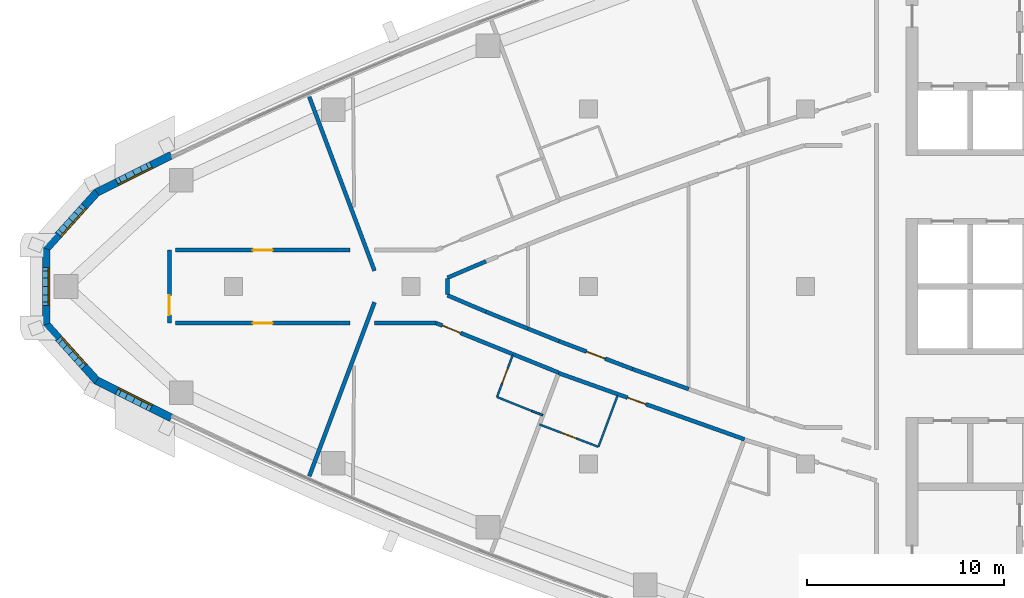
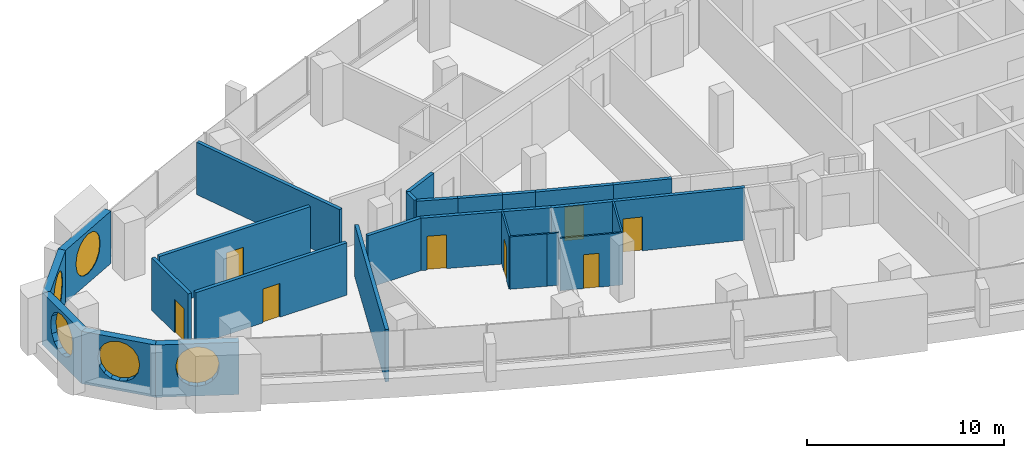
# One storey, part 8 of 15: 25 walls, 8 doors, 5 windows, 13 openings.
"""IFC4 building model written with IfcOpenShell, lengths in metres."""

from ifc_helpers import new_model, si_unit, direction, frame, frame_2d, origin, place, context, subcontext, project, spatial, polyline, rectangle, outline, extrude, material, layer, layer_set, type_object, element, fill, save


model = new_model("IFC4")

# Units and contexts
model_context = context("Model", 3, precision=1e-05, world=origin(), true_north=direction((0.0, 1.0)))
body_context = subcontext(model_context, "Body", "Model", "MODEL_VIEW")
ifc_project = project(units=[si_unit("LENGTHUNIT", "METRE"), si_unit("AREAUNIT", "SQUARE_METRE"), si_unit("VOLUMEUNIT", "CUBIC_METRE"), si_unit("PLANEANGLEUNIT", "RADIAN"), si_unit("MASSUNIT", "GRAM", prefix="KILO")], contexts=[model_context])

# Site, building, storey
site_placement = place(None, origin())
site = spatial("IfcSite", under=ifc_project, at=site_placement, CompositionType="ELEMENT")
building_placement = place(site_placement, origin())
building = spatial("IfcBuilding", under=site, at=building_placement, Name="Ostrand Prow Hotel Tower", CompositionType="ELEMENT")
storey_placement = place(building_placement, frame((0.0, 0.0, 231.449951171875)))
storey = spatial("IfcBuildingStorey", under=building, at=storey_placement, Name="L58", CompositionType="ELEMENT", Elevation=231.449951171875)

# Wall, opening, door
ifc_material_1 = material(Name="Plasterboard partition")
ifc_layer_1 = layer(ifc_material_1, 0.10009765625)
ifc_layer_set_1 = layer_set([ifc_layer_1], Name="Plasterboard partition")
wall_type_1 = type_object("IfcWallType", Name="Partition 100 bathroom wall", PredefinedType="PARTITIONING", material=ifc_layer_set_1)
wall_1_placement = place(storey_placement, frame((29.360107421875, -5.599853515625, 0.0), z_axis=(0.0, 0.0, 1.0), x_axis=(0.351158682313, 0.936315961541, 0.0)))
wall_1 = element("IfcWall", 1, at=wall_1_placement, inside=storey, type_object=wall_type_1, Name="BATHROOM WALL", PredefinedType="PARTITIONING", context=body_context, shape_type="SweptSolid", body=[
    extrude(rectangle(XDim=2.277587890625, YDim=0.10009765625, at=frame_2d((1.138671875, 0.0))), origin(), (0.0, 0.0, 1.0), 3.25),
])
opening_1_placement = place(wall_1_placement, frame((0.75, 0.0, 0.0)))
opening_1 = element("IfcOpeningElement", 2, at=opening_1_placement, cuts=wall_1, Name="Opening D2", PredefinedType="OPENING", context=body_context, shape_type="SweptSolid", body=[
    extrude(rectangle(XDim=0.800048828125, YDim=2.10009765625, at=frame_2d((0.39990234375, 1.050048828125))), frame((0.0, 0.06005859375, 0.0), z_axis=(0.0, -1.0, 0.0), x_axis=(1.0, 0.0, 0.0)), (0.0, 0.0, 1.0), 0.1201171875),
])
ifc_material_2 = material(Name="Timber door leaf", Category="wood")
door_type_1 = type_object("IfcDoorType", Name="Bathroom door 800", OperationType="SINGLE_SWING_LEFT", PredefinedType="DOOR", material=ifc_material_2)
door_1_placement = place(opening_1_placement, origin())
door_1 = element("IfcDoor", 3, at=door_1_placement, inside=storey, type_object=door_type_1, Name="DOOR", OperationType="SINGLE_SWING_LEFT", OverallHeight=2.10009765625, OverallWidth=0.800048828125, PredefinedType="DOOR", context=body_context, shape_type="SweptSolid", body=[
    extrude(rectangle(XDim=0.800048828125, YDim=2.10009765625, at=frame_2d((0.39990234375, 1.050048828125))), frame((0.0, 0.02490234375, 0.0), z_axis=(0.0, -1.0, 0.0), x_axis=(1.0, 0.0, 0.0)), (0.0, 0.0, 1.0), 0.050048828125),
])
fill(opening_1, door_1)

# Walls
wall_2_placement = place(storey_placement, frame((31.68408203125, -6.5224609375, 0.0), z_axis=(0.0, 0.0, 1.0), x_axis=(-0.935048188903, 0.354520640342, 0.0)))
element("IfcWall", 4, at=wall_2_placement, inside=storey, type_object=wall_type_1, Name="BATHROOM WALL", PredefinedType="PARTITIONING", context=body_context, shape_type="SweptSolid", body=[
    extrude(rectangle(XDim=0.60595703125, YDim=0.10009765625, at=frame_2d((0.302978515625, 0.0))), origin(), (0.0, 0.0, 1.0), 3.25),
])
wall_3_placement = place(storey_placement, frame((31.117431640625, -6.3076171875, 0.0), z_axis=(0.0, 0.0, 1.0), x_axis=(-0.927594225674, 0.373589283166, 0.0)))
element("IfcWall", 5, at=wall_3_placement, inside=storey, type_object=wall_type_1, Name="BATHROOM WALL", PredefinedType="PARTITIONING", context=body_context, shape_type="SweptSolid", body=[
    extrude(rectangle(XDim=1.89453125, YDim=0.10009765625, at=frame_2d((0.947265625, 0.0))), origin(), (0.0, 0.0, 1.0), 3.25),
])
wall_4_placement = place(storey_placement, frame((35.475341796875, -5.52587890625, 0.0), z_axis=(0.0, 0.0, 1.0), x_axis=(-0.351065630332, -0.936350854755, 0.0)))
element("IfcWall", 6, at=wall_4_placement, inside=storey, type_object=wall_type_1, Name="BATHROOM WALL", PredefinedType="PARTITIONING", context=body_context, shape_type="SweptSolid", body=[
    extrude(rectangle(XDim=2.77685546875, YDim=0.10009765625, at=frame_2d((1.388427734375, 0.0))), origin(), (0.0, 0.0, 1.0), 3.25),
])

# Wall, opening, door
wall_5_placement = place(storey_placement, frame((34.500244140625, -8.1259765625, 0.0), z_axis=(0.0, 0.0, 1.0), x_axis=(-0.934948661714, 0.354783032232, 0.0)))
wall_5 = element("IfcWall", 7, at=wall_5_placement, inside=storey, type_object=wall_type_1, Name="BATHROOM WALL", PredefinedType="PARTITIONING", context=body_context, shape_type="SweptSolid", body=[
    extrude(rectangle(XDim=3.199951171875, YDim=0.10009765625, at=frame_2d((1.60009765625, 0.0))), origin(), (0.0, 0.0, 1.0), 3.25),
])
opening_2_placement = place(wall_5_placement, frame((1.199951171875, 0.0, 0.0)))
opening_2 = element("IfcOpeningElement", 8, at=opening_2_placement, cuts=wall_5, Name="Opening D2", PredefinedType="OPENING", context=body_context, shape_type="SweptSolid", body=[
    extrude(rectangle(XDim=0.800048828125, YDim=2.10009765625, at=frame_2d((0.39990234375, 1.050048828125))), frame((0.0, 0.06005859375, 0.0), z_axis=(0.0, -1.0, 0.0), x_axis=(1.0, 0.0, 0.0)), (0.0, 0.0, 1.0), 0.1201171875),
])
door_2_placement = place(opening_2_placement, origin())
door_2 = element("IfcDoor", 9, at=door_2_placement, inside=storey, type_object=door_type_1, Name="DOOR", OperationType="SINGLE_SWING_LEFT", OverallHeight=2.10009765625, OverallWidth=0.800048828125, PredefinedType="DOOR", context=body_context, shape_type="SweptSolid", body=[
    extrude(rectangle(XDim=0.800048828125, YDim=2.10009765625, at=frame_2d((0.39990234375, 1.050048828125))), frame((0.0, 0.02490234375, 0.0), z_axis=(0.0, -1.0, 0.0), x_axis=(1.0, 0.0, 0.0)), (0.0, 0.0, 1.0), 0.050048828125),
])
fill(opening_2, door_2)

ifc_material_3 = material(Name="Plasterboard partition")
ifc_layer_2 = layer(ifc_material_3, 0.199951171875)
ifc_layer_set_2 = layer_set([ifc_layer_2], Name="Plasterboard partition")
wall_type_2 = type_object("IfcWallType", Name="Partition 200 corridor wall", PredefinedType="PARTITIONING", material=ifc_layer_set_2)
wall_6_placement = place(storey_placement, frame((13.051513671875, 1.85009765625, 0.0), z_axis=(0.0, 0.0, 1.0), x_axis=(1.0, 0.0, 0.0)))
wall_6 = element("IfcWall", 10, at=wall_6_placement, inside=storey, type_object=wall_type_2, Name="CORRIDOR WALL", PredefinedType="PARTITIONING", context=body_context, shape_type="SweptSolid", body=[
    extrude(rectangle(XDim=8.86083984375, YDim=0.199951171875, at=frame_2d((4.430419921875, 0.0))), origin(), (0.0, 0.0, 1.0), 3.25),
])
opening_3_placement = place(wall_6_placement, frame((3.930419921875, 0.0, 0.0)))
opening_3 = element("IfcOpeningElement", 11, at=opening_3_placement, cuts=wall_6, Name="Opening D1", PredefinedType="OPENING", context=body_context, shape_type="SweptSolid", body=[
    extrude(rectangle(XDim=1.0, YDim=2.10009765625, at=frame_2d((0.5, 1.050048828125))), frame((0.0, 0.10986328125, 0.0), z_axis=(0.0, -1.0, 0.0), x_axis=(1.0, 0.0, 0.0)), (0.0, 0.0, 1.0), 0.219970703125),
])
ifc_material_4 = material(Name="Timber door leaf", Category="wood")
door_type_2 = type_object("IfcDoorType", Name="Guest room door 1000", OperationType="SINGLE_SWING_LEFT", PredefinedType="DOOR", material=ifc_material_4)
door_3_placement = place(opening_3_placement, origin())
door_3 = element("IfcDoor", 12, at=door_3_placement, inside=storey, type_object=door_type_2, Name="DOOR", OperationType="SINGLE_SWING_LEFT", OverallHeight=2.10009765625, OverallWidth=1.0, PredefinedType="DOOR", context=body_context, shape_type="SweptSolid", body=[
    extrude(rectangle(XDim=1.0, YDim=2.10009765625, at=frame_2d((0.5, 1.050048828125))), frame((0.0, 0.02490234375, 0.0), z_axis=(0.0, -1.0, 0.0), x_axis=(1.0, 0.0, 0.0)), (0.0, 0.0, 1.0), 0.050048828125),
])
fill(opening_3, door_3)

wall_7_placement = place(storey_placement, frame((13.051513671875, -1.85009765625, 0.0), z_axis=(0.0, 0.0, 1.0), x_axis=(1.0, 0.0, 0.0)))
wall_7 = element("IfcWall", 13, at=wall_7_placement, inside=storey, type_object=wall_type_2, Name="CORRIDOR WALL", PredefinedType="PARTITIONING", context=body_context, shape_type="SweptSolid", body=[
    extrude(rectangle(XDim=8.86083984375, YDim=0.199951171875, at=frame_2d((4.430419921875, 0.0))), origin(), (0.0, 0.0, 1.0), 3.25),
])
opening_4_placement = place(wall_7_placement, frame((3.930419921875, 0.0, 0.0)))
opening_4 = element("IfcOpeningElement", 14, at=opening_4_placement, cuts=wall_7, Name="Opening D1R", PredefinedType="OPENING", context=body_context, shape_type="SweptSolid", body=[
    extrude(rectangle(XDim=1.0, YDim=2.10009765625, at=frame_2d((0.5, 1.050048828125))), frame((0.0, 0.10986328125, 0.0), z_axis=(0.0, -1.0, 0.0), x_axis=(1.0, 0.0, 0.0)), (0.0, 0.0, 1.0), 0.219970703125),
])
ifc_material_5 = material(Name="Timber door leaf", Category="wood")
door_type_3 = type_object("IfcDoorType", Name="Guest room door 1000 right", OperationType="SINGLE_SWING_RIGHT", PredefinedType="DOOR", material=ifc_material_5)
door_4_placement = place(opening_4_placement, origin())
door_4 = element("IfcDoor", 15, at=door_4_placement, inside=storey, type_object=door_type_3, Name="DOOR", OperationType="SINGLE_SWING_RIGHT", OverallHeight=2.10009765625, OverallWidth=1.0, PredefinedType="DOOR", context=body_context, shape_type="SweptSolid", body=[
    extrude(rectangle(XDim=1.0, YDim=2.10009765625, at=frame_2d((0.5, 1.050048828125))), frame((0.0, 0.02490234375, 0.0), z_axis=(0.0, -1.0, 0.0), x_axis=(1.0, 0.0, 0.0)), (0.0, 0.0, 1.0), 0.050048828125),
])
fill(opening_4, door_4)

wall_8_placement = place(storey_placement, frame((26.265869140625, -1.85009765625, 0.0), z_axis=(0.0, 0.0, 1.0), x_axis=(0.927007906702, -0.375041785555, 0.0)))
wall_8 = element("IfcWall", 16, at=wall_8_placement, inside=storey, type_object=wall_type_2, Name="CORRIDOR WALL", PredefinedType="PARTITIONING", context=body_context, shape_type="SweptSolid", body=[
    extrude(rectangle(XDim=6.716064453125, YDim=0.199951171875, at=frame_2d((3.35791015625, 0.0))), origin(), (0.0, 0.0, 1.0), 3.25),
])
opening_5_placement = place(wall_8_placement, frame((0.35009765625, 0.0, 0.0)))
opening_5 = element("IfcOpeningElement", 17, at=opening_5_placement, cuts=wall_8, Name="Opening D1", PredefinedType="OPENING", context=body_context, shape_type="SweptSolid", body=[
    extrude(rectangle(XDim=1.0, YDim=2.10009765625, at=frame_2d((0.5, 1.050048828125))), frame((0.0, 0.10986328125, 0.0), z_axis=(0.0, -1.0, 0.0), x_axis=(1.0, 0.0, 0.0)), (0.0, 0.0, 1.0), 0.219970703125),
])
door_5_placement = place(opening_5_placement, origin())
door_5 = element("IfcDoor", 18, at=door_5_placement, inside=storey, type_object=door_type_2, Name="DOOR", OperationType="SINGLE_SWING_LEFT", OverallHeight=2.10009765625, OverallWidth=1.0, PredefinedType="DOOR", context=body_context, shape_type="SweptSolid", body=[
    extrude(rectangle(XDim=1.0, YDim=2.10009765625, at=frame_2d((0.5, 1.050048828125))), frame((0.0, 0.02490234375, 0.0), z_axis=(0.0, -1.0, 0.0), x_axis=(1.0, 0.0, 0.0)), (0.0, 0.0, 1.0), 0.050048828125),
])
fill(opening_5, door_5)

wall_9_placement = place(storey_placement, frame((32.484619140625, -4.3876953125, 0.0), z_axis=(0.0, 0.0, 1.0), x_axis=(0.941953797829, -0.335742524498, 0.0)))
wall_9 = element("IfcWall", 19, at=wall_9_placement, inside=storey, type_object=wall_type_2, Name="CORRIDOR WALL", PredefinedType="PARTITIONING", context=body_context, shape_type="SweptSolid", body=[
    extrude(rectangle(XDim=10.00146484375, YDim=0.199951171875, at=frame_2d((5.000732421875, 0.0))), origin(), (0.0, 0.0, 1.0), 3.25),
])
opening_6_placement = place(wall_9_placement, frame((3.699951171875, 0.0, 0.0)))
opening_6 = element("IfcOpeningElement", 20, at=opening_6_placement, cuts=wall_9, Name="Opening D1", PredefinedType="OPENING", context=body_context, shape_type="SweptSolid", body=[
    extrude(rectangle(XDim=1.0, YDim=2.10009765625, at=frame_2d((0.5, 1.050048828125))), frame((0.0, 0.10986328125, 0.0), z_axis=(0.0, -1.0, 0.0), x_axis=(1.0, 0.0, 0.0)), (0.0, 0.0, 1.0), 0.219970703125),
])
door_6_placement = place(opening_6_placement, origin())
door_6 = element("IfcDoor", 21, at=door_6_placement, inside=storey, type_object=door_type_2, Name="DOOR", OperationType="SINGLE_SWING_LEFT", OverallHeight=2.10009765625, OverallWidth=1.0, PredefinedType="DOOR", context=body_context, shape_type="SweptSolid", body=[
    extrude(rectangle(XDim=1.0, YDim=2.10009765625, at=frame_2d((0.5, 1.050048828125))), frame((0.0, 0.02490234375, 0.0), z_axis=(0.0, -1.0, 0.0), x_axis=(1.0, 0.0, 0.0)), (0.0, 0.0, 1.0), 0.050048828125),
])
fill(opening_6, door_6)

# Walls
for number, where, z_axis, x_axis, name in (
    (22, (28.795654296875, -1.276123046875, 0.0), (0.0, 0.0, 1.0), (-0.91990756443, 0.392135273732, 0.0), "CORRIDOR WALL"),
    (23, (26.85009765625, 0.44677734375, 0.0), (0.0, 0.0, 1.0), (0.91990756443, 0.392135273732, 0.0), "CORRIDOR WALL"),
):
    element("IfcWall", number, at=place(storey_placement, frame(where, z_axis=z_axis, x_axis=x_axis)), inside=storey, type_object=wall_type_2, Name=name, PredefinedType="PARTITIONING", context=body_context, shape_type="SweptSolid", body=[
        extrude(rectangle(XDim=2.114990234375, YDim=0.199951171875, at=frame_2d((1.0576171875, 0.0))), origin(), (0.0, 0.0, 1.0), 3.25),
    ])
wall_10_placement = place(storey_placement, frame((30.926025390625, -2.134033203125, 0.0), z_axis=(0.0, 0.0, 1.0), x_axis=(-0.927609077038, 0.373552406224, 0.0)))
element("IfcWall", 24, at=wall_10_placement, inside=storey, type_object=wall_type_2, Name="CORRIDOR WALL", PredefinedType="PARTITIONING", context=body_context, shape_type="SweptSolid", body=[
    extrude(rectangle(XDim=2.296630859375, YDim=0.199951171875, at=frame_2d((1.1484375, 0.0))), origin(), (0.0, 0.0, 1.0), 3.25),
])

# Wall, opening, door
wall_11_placement = place(storey_placement, frame((36.236328125, -4.185546875, 0.0), z_axis=(0.0, 0.0, 1.0), x_axis=(-0.934950696546, 0.354777669856, 0.0)))
wall_11 = element("IfcWall", 25, at=wall_11_placement, inside=storey, type_object=wall_type_2, Name="CORRIDOR WALL", PredefinedType="PARTITIONING", context=body_context, shape_type="SweptSolid", body=[
    extrude(rectangle(XDim=3.99462890625, YDim=0.199951171875, at=frame_2d((1.997314453125, 0.0))), origin(), (0.0, 0.0, 1.0), 3.25),
])
opening_7_placement = place(wall_11_placement, frame((1.49755859375, 0.0, 0.0)))
opening_7 = element("IfcOpeningElement", 26, at=opening_7_placement, cuts=wall_11, Name="Opening D1", PredefinedType="OPENING", context=body_context, shape_type="SweptSolid", body=[
    extrude(rectangle(XDim=1.0, YDim=2.10009765625, at=frame_2d((0.5, 1.050048828125))), frame((0.0, 0.10986328125, 0.0), z_axis=(0.0, -1.0, 0.0), x_axis=(1.0, 0.0, 0.0)), (0.0, 0.0, 1.0), 0.219970703125),
])
door_7_placement = place(opening_7_placement, origin())
door_7 = element("IfcDoor", 27, at=door_7_placement, inside=storey, type_object=door_type_2, Name="DOOR", OperationType="SINGLE_SWING_LEFT", OverallHeight=2.10009765625, OverallWidth=1.0, PredefinedType="DOOR", context=body_context, shape_type="SweptSolid", body=[
    extrude(rectangle(XDim=1.0, YDim=2.10009765625, at=frame_2d((0.5, 1.050048828125))), frame((0.0, 0.02490234375, 0.0), z_axis=(0.0, -1.0, 0.0), x_axis=(1.0, 0.0, 0.0)), (0.0, 0.0, 1.0), 0.050048828125),
])
fill(opening_7, door_7)

# Walls
wall_12_placement = place(storey_placement, frame((39.078369140625, -5.198974609375, 0.0), z_axis=(0.0, 0.0, 1.0), x_axis=(-0.941908381697, 0.335869916023, 0.0)))
element("IfcWall", 28, at=wall_12_placement, inside=storey, type_object=wall_type_2, Name="CORRIDOR WALL", PredefinedType="PARTITIONING", context=body_context, shape_type="SweptSolid", body=[
    extrude(rectangle(XDim=3.017333984375, YDim=0.199951171875, at=frame_2d((1.5087890625, 0.0))), origin(), (0.0, 0.0, 1.0), 3.25),
])
wall_13_placement = place(storey_placement, frame((32.50146484375, -2.768310546875, 0.0), z_axis=(0.0, 0.0, 1.0), x_axis=(-0.927641577565, 0.373471690456, 0.0)))
element("IfcWall", 29, at=wall_13_placement, inside=storey, type_object=wall_type_2, Name="CORRIDOR WALL", PredefinedType="PARTITIONING", context=body_context, shape_type="SweptSolid", body=[
    extrude(rectangle(XDim=1.6982421875, YDim=0.199951171875, at=frame_2d((0.84912109375, 0.0))), origin(), (0.0, 0.0, 1.0), 3.25),
])
wall_14_placement = place(storey_placement, frame((26.85498046875, -0.406982421875, 0.0), z_axis=(0.0, 0.0, 1.0), x_axis=(0.0, 1.0, 0.0)))
element("IfcWall", 30, at=wall_14_placement, inside=storey, type_object=wall_type_2, Name="CORRIDOR WALL", PredefinedType="PARTITIONING", context=body_context, shape_type="SweptSolid", body=[
    extrude(rectangle(XDim=0.81396484375, YDim=0.199951171875, at=frame_2d((0.406982421875, 0.0))), origin(), (0.0, 0.0, 1.0), 3.25),
])
wall_15_placement = place(storey_placement, frame((23.148193359375, -1.8544921875, 0.0), z_axis=(0.0, 0.0, 1.0), x_axis=(0.999999006581, 0.001409552241, 0.0)))
element("IfcWall", 31, at=wall_15_placement, inside=storey, type_object=wall_type_2, Name="CORRIDOR WALL", PredefinedType="PARTITIONING", context=body_context, shape_type="SweptSolid", body=[
    extrude(rectangle(XDim=3.11767578125, YDim=0.199951171875, at=frame_2d((1.558837890625, 0.0))), origin(), (0.0, 0.0, 1.0), 3.25),
])
ifc_material_6 = material(Name="Plasterboard partition")
ifc_layer_3 = layer(ifc_material_6, 0.199951171875)
ifc_layer_set_3 = layer_set([ifc_layer_3], Name="Plasterboard partition")
wall_type_3 = type_object("IfcWallType", Name="Partition 200 key partition", PredefinedType="PARTITIONING", material=ifc_layer_set_3)
for number, where, z_axis, x_axis, name in (
    (32, (23.14990234375, 0.800048828125, 0.0), (0.0, 0.0, 1.0), (-0.351123441588, 0.936329177569, 0.0), "KEY PARTITION"),
    (33, (19.84375, -9.616455078125, 0.0), (0.0, 0.0, 1.0), (0.351123441588, 0.936329177569, 0.0), "KEY PARTITION"),
):
    element("IfcWall", number, at=place(storey_placement, frame(where, z_axis=z_axis, x_axis=x_axis)), inside=storey, type_object=wall_type_3, Name=name, PredefinedType="PARTITIONING", context=body_context, shape_type="SweptSolid", body=[
        extrude(rectangle(XDim=9.416015625, YDim=0.199951171875, at=frame_2d((4.7080078125, 0.0))), origin(), (0.0, 0.0, 1.0), 3.25),
    ])

# Wall, opening, door
ifc_material_7 = material(Name="Plasterboard partition")
ifc_layer_4 = layer(ifc_material_7, 0.199951171875)
ifc_layer_set_4 = layer_set([ifc_layer_4], Name="Plasterboard partition")
wall_type_4 = type_object("IfcWallType", Name="Partition 200 lounge wall", PredefinedType="PARTITIONING", material=ifc_layer_set_4)
wall_16_placement = place(storey_placement, frame((12.75146484375, -1.85009765625, 0.0), z_axis=(0.0, 0.0, 1.0), x_axis=(0.0, 1.0, 0.0)))
wall_16 = element("IfcWall", 34, at=wall_16_placement, inside=storey, type_object=wall_type_4, Name="LOUNGE WALL", PredefinedType="PARTITIONING", context=body_context, shape_type="SweptSolid", body=[
    extrude(rectangle(XDim=3.7001953125, YDim=0.199951171875, at=frame_2d((1.85009765625, 0.0))), origin(), (0.0, 0.0, 1.0), 3.25),
])
opening_8_placement = place(wall_16_placement, frame((0.39990234375, 0.0, 0.0)))
opening_8 = element("IfcOpeningElement", 35, at=opening_8_placement, cuts=wall_16, Name="Opening D1", PredefinedType="OPENING", context=body_context, shape_type="SweptSolid", body=[
    extrude(rectangle(XDim=1.0, YDim=2.10009765625, at=frame_2d((0.5, 1.050048828125))), frame((0.0, 0.10986328125, 0.0), z_axis=(0.0, -1.0, 0.0), x_axis=(1.0, 0.0, 0.0)), (0.0, 0.0, 1.0), 0.219970703125),
])
door_8_placement = place(opening_8_placement, origin())
door_8 = element("IfcDoor", 36, at=door_8_placement, inside=storey, type_object=door_type_2, Name="DOOR", OperationType="SINGLE_SWING_LEFT", OverallHeight=2.10009765625, OverallWidth=1.0, PredefinedType="DOOR", context=body_context, shape_type="SweptSolid", body=[
    extrude(rectangle(XDim=1.0, YDim=2.10009765625, at=frame_2d((0.5, 1.050048828125))), frame((0.0, 0.02490234375, 0.0), z_axis=(0.0, -1.0, 0.0), x_axis=(1.0, 0.0, 0.0)), (0.0, 0.0, 1.0), 0.050048828125),
])
fill(opening_8, door_8)

# Wall, opening, window
ifc_material_8 = material(Name="Precast concrete C40/50", Category="concrete")
ifc_layer_5 = layer(ifc_material_8, 0.39990234375)
ifc_layer_set_5 = layer_set([ifc_layer_5], Name="Precast concrete C40/50")
wall_type_5 = type_object("IfcWallType", Name="Stone-faced precast wall 400 mm", PredefinedType="NOTDEFINED", material=ifc_layer_set_5)
wall_17_placement = place(storey_placement, frame((12.849365234375, 6.66064453125, 0.0), z_axis=(0.0, 0.0, 1.0), x_axis=(-0.894554263274, -0.446959360634, 0.0)))
wall_17 = element("IfcWall", 37, at=wall_17_placement, inside=storey, type_object=wall_type_5, Name="Stone-faced wall prow 1", PredefinedType="NOTDEFINED", context=body_context, shape_type="SweptSolid", body=[
    extrude(outline(polyline([(0.0, -0.199951171875), (4.263671875, -0.199951171875), (4.1875, 0.199951171875), (0.0, 0.199951171875), (0.0, -0.199951171875)])), origin(), (0.0, 0.0, 1.0), 3.25),
])
opening_9_placement = place(wall_17_placement, frame((1.012939453125, 0.0, 0.60009765625)))
opening_9 = element("IfcOpeningElement", 38, at=opening_9_placement, cuts=wall_17, Name="Opening WP1", PredefinedType="OPENING", context=body_context, shape_type="SweptSolid", body=[
    extrude(outline(polyline([(0.0, 1.35009765625), (0.083740234375, 1.77099609375), (0.322265625, 2.127685546875), (0.678955078125, 2.3662109375), (1.10009765625, 2.449951171875), (1.52099609375, 2.3662109375), (1.877685546875, 2.127685546875), (2.1162109375, 1.77099609375), (2.199951171875, 1.35009765625), (2.199951171875, 1.10009765625), (2.1162109375, 0.678955078125), (1.877685546875, 0.322265625), (1.52099609375, 0.083740234375), (1.10009765625, 0.0), (0.678955078125, 0.083740234375), (0.322265625, 0.322265625), (0.083740234375, 0.678955078125), (0.0, 1.099853515625), (0.0, 1.35009765625)])), frame((0.0, 0.2099609375, 0.0), z_axis=(0.0, -1.0, 0.0), x_axis=(1.0, 0.0, 0.0)), (0.0, 0.0, 1.0), 0.419921875),
])
ifc_material_9 = material(Name="Insulated glass in bronze frame", Category="glass")
window_type = type_object("IfcWindowType", Name="Round-ended prow window 2200x2450", PartitioningType="SINGLE_PANEL", PredefinedType="WINDOW", material=ifc_material_9)
window_1_placement = place(opening_9_placement, origin())
window_1 = element("IfcWindow", 39, at=window_1_placement, inside=storey, type_object=window_type, Name="Window prow 1.1", OverallHeight=2.449951171875, OverallWidth=2.199951171875, PartitioningType="SINGLE_PANEL", PredefinedType="WINDOW", context=body_context, shape_type="SweptSolid", body=[
    extrude(outline(polyline([(0.0, 1.35009765625), (0.083740234375, 1.77099609375), (0.322265625, 2.127685546875), (0.678955078125, 2.3662109375), (1.10009765625, 2.449951171875), (1.52099609375, 2.3662109375), (1.877685546875, 2.127685546875), (2.1162109375, 1.77099609375), (2.199951171875, 1.35009765625), (2.199951171875, 1.10009765625), (2.1162109375, 0.678955078125), (1.877685546875, 0.322265625), (1.52099609375, 0.083740234375), (1.10009765625, 0.0), (0.678955078125, 0.083740234375), (0.322265625, 0.322265625), (0.083740234375, 0.678955078125), (0.0, 1.099853515625), (0.0, 1.35009765625)])), frame((0.0, 0.169921875, 0.0), z_axis=(0.0, -1.0, 0.0), x_axis=(1.0, 0.0, 0.0)), (0.0, 0.0, 1.0), 0.06005859375),
])
fill(opening_9, window_1)

wall_18_placement = place(storey_placement, frame((9.0693359375, 4.77197265625, 0.0), z_axis=(0.0, 0.0, 1.0), x_axis=(-0.668018215058, -0.744144921605, 0.0)))
wall_18 = element("IfcWall", 40, at=wall_18_placement, inside=storey, type_object=wall_type_5, Name="Stone-faced wall prow 2", PredefinedType="NOTDEFINED", context=body_context, shape_type="SweptSolid", body=[
    extrude(outline(polyline([(-0.0380859375, -0.199951171875), (3.912353515625, -0.199951171875), (3.759033203125, 0.199951171875), (0.0380859375, 0.199951171875), (-0.0380859375, -0.199951171875)])), origin(), (0.0, 0.0, 1.0), 3.25),
])
opening_10_placement = place(wall_18_placement, frame((0.81787109375, 0.0, 0.60009765625)))
opening_10 = element("IfcOpeningElement", 41, at=opening_10_placement, cuts=wall_18, Name="Opening WP1", PredefinedType="OPENING", context=body_context, shape_type="SweptSolid", body=[
    extrude(outline(polyline([(0.0, 1.35009765625), (0.083740234375, 1.77099609375), (0.322265625, 2.127685546875), (0.678955078125, 2.3662109375), (1.10009765625, 2.449951171875), (1.52099609375, 2.3662109375), (1.877685546875, 2.127685546875), (2.1162109375, 1.77099609375), (2.199951171875, 1.35009765625), (2.199951171875, 1.10009765625), (2.1162109375, 0.678955078125), (1.877685546875, 0.322265625), (1.52099609375, 0.083740234375), (1.10009765625, 0.0), (0.678955078125, 0.083740234375), (0.322265625, 0.322265625), (0.083740234375, 0.678955078125), (0.0, 1.099853515625), (0.0, 1.35009765625)])), frame((0.0, 0.2099609375, 0.0), z_axis=(0.0, -1.0, 0.0), x_axis=(1.0, 0.0, 0.0)), (0.0, 0.0, 1.0), 0.419921875),
])
window_2_placement = place(opening_10_placement, origin())
window_2 = element("IfcWindow", 42, at=window_2_placement, inside=storey, type_object=window_type, Name="Window prow 2.1", OverallHeight=2.449951171875, OverallWidth=2.199951171875, PartitioningType="SINGLE_PANEL", PredefinedType="WINDOW", context=body_context, shape_type="SweptSolid", body=[
    extrude(outline(polyline([(0.0, 1.35009765625), (0.083740234375, 1.77099609375), (0.322265625, 2.127685546875), (0.678955078125, 2.3662109375), (1.10009765625, 2.449951171875), (1.52099609375, 2.3662109375), (1.877685546875, 2.127685546875), (2.1162109375, 1.77099609375), (2.199951171875, 1.35009765625), (2.199951171875, 1.10009765625), (2.1162109375, 0.678955078125), (1.877685546875, 0.322265625), (1.52099609375, 0.083740234375), (1.10009765625, 0.0), (0.678955078125, 0.083740234375), (0.322265625, 0.322265625), (0.083740234375, 0.678955078125), (0.0, 1.099853515625), (0.0, 1.35009765625)])), frame((0.0, 0.169921875, 0.0), z_axis=(0.0, -1.0, 0.0), x_axis=(1.0, 0.0, 0.0)), (0.0, 0.0, 1.0), 0.06005859375),
])
fill(opening_10, window_2)

wall_19_placement = place(storey_placement, frame((6.507080078125, 1.917724609375, 0.0), z_axis=(0.0, 0.0, 1.0), x_axis=(0.0, -1.0, 0.0)))
wall_19 = element("IfcWall", 43, at=wall_19_placement, inside=storey, type_object=wall_type_5, Name="Stone-faced wall prow 3", PredefinedType="NOTDEFINED", context=body_context, shape_type="SweptSolid", body=[
    extrude(outline(polyline([(-0.07666015625, -0.199951171875), (3.912109375, -0.199951171875), (3.7587890625, 0.199951171875), (0.07666015625, 0.199951171875), (-0.07666015625, -0.199951171875)])), origin(), (0.0, 0.0, 1.0), 3.25),
])
opening_11_placement = place(wall_19_placement, frame((0.81787109375, 0.0, 0.60009765625)))
opening_11 = element("IfcOpeningElement", 44, at=opening_11_placement, cuts=wall_19, Name="Opening WP1", PredefinedType="OPENING", context=body_context, shape_type="SweptSolid", body=[
    extrude(outline(polyline([(0.0, 1.35009765625), (0.083740234375, 1.77099609375), (0.322265625, 2.127685546875), (0.678955078125, 2.3662109375), (1.10009765625, 2.449951171875), (1.52099609375, 2.3662109375), (1.877685546875, 2.127685546875), (2.1162109375, 1.77099609375), (2.199951171875, 1.35009765625), (2.199951171875, 1.10009765625), (2.1162109375, 0.678955078125), (1.877685546875, 0.322265625), (1.52099609375, 0.083740234375), (1.10009765625, 0.0), (0.678955078125, 0.083740234375), (0.322265625, 0.322265625), (0.083740234375, 0.678955078125), (0.0, 1.099853515625), (0.0, 1.35009765625)])), frame((0.0, 0.2099609375, 0.0), z_axis=(0.0, -1.0, 0.0), x_axis=(1.0, 0.0, 0.0)), (0.0, 0.0, 1.0), 0.419921875),
])
window_3_placement = place(opening_11_placement, origin())
window_3 = element("IfcWindow", 45, at=window_3_placement, inside=storey, type_object=window_type, Name="Window prow 3.1", OverallHeight=2.449951171875, OverallWidth=2.199951171875, PartitioningType="SINGLE_PANEL", PredefinedType="WINDOW", context=body_context, shape_type="SweptSolid", body=[
    extrude(outline(polyline([(0.0, 1.35009765625), (0.083740234375, 1.77099609375), (0.322265625, 2.127685546875), (0.678955078125, 2.3662109375), (1.10009765625, 2.449951171875), (1.52099609375, 2.3662109375), (1.877685546875, 2.127685546875), (2.1162109375, 1.77099609375), (2.199951171875, 1.35009765625), (2.199951171875, 1.10009765625), (2.1162109375, 0.678955078125), (1.877685546875, 0.322265625), (1.52099609375, 0.083740234375), (1.10009765625, 0.0), (0.678955078125, 0.083740234375), (0.322265625, 0.322265625), (0.083740234375, 0.678955078125), (0.0, 1.099853515625), (0.0, 1.35009765625)])), frame((0.0, 0.169921875, 0.0), z_axis=(0.0, -1.0, 0.0), x_axis=(1.0, 0.0, 0.0)), (0.0, 0.0, 1.0), 0.06005859375),
])
fill(opening_11, window_3)

wall_20_placement = place(storey_placement, frame((6.507080078125, -1.917724609375, 0.0), z_axis=(0.0, 0.0, 1.0), x_axis=(0.668018215058, -0.744144921605, 0.0)))
wall_20 = element("IfcWall", 46, at=wall_20_placement, inside=storey, type_object=wall_type_5, Name="Stone-faced wall prow 4", PredefinedType="NOTDEFINED", context=body_context, shape_type="SweptSolid", body=[
    extrude(outline(polyline([(-0.07666015625, -0.199951171875), (3.873779296875, -0.199951171875), (3.797607421875, 0.199951171875), (0.07666015625, 0.199951171875), (-0.07666015625, -0.199951171875)])), origin(), (0.0, 0.0, 1.0), 3.25),
])
opening_12_placement = place(wall_20_placement, frame((0.81787109375, 0.0, 0.60009765625)))
opening_12 = element("IfcOpeningElement", 47, at=opening_12_placement, cuts=wall_20, Name="Opening WP1", PredefinedType="OPENING", context=body_context, shape_type="SweptSolid", body=[
    extrude(outline(polyline([(0.0, 1.35009765625), (0.083740234375, 1.77099609375), (0.322265625, 2.127685546875), (0.678955078125, 2.3662109375), (1.10009765625, 2.449951171875), (1.52099609375, 2.3662109375), (1.877685546875, 2.127685546875), (2.1162109375, 1.77099609375), (2.199951171875, 1.35009765625), (2.199951171875, 1.10009765625), (2.1162109375, 0.678955078125), (1.877685546875, 0.322265625), (1.52099609375, 0.083740234375), (1.10009765625, 0.0), (0.678955078125, 0.083740234375), (0.322265625, 0.322265625), (0.083740234375, 0.678955078125), (0.0, 1.099853515625), (0.0, 1.35009765625)])), frame((0.0, 0.2099609375, 0.0), z_axis=(0.0, -1.0, 0.0), x_axis=(1.0, 0.0, 0.0)), (0.0, 0.0, 1.0), 0.419921875),
])
window_4_placement = place(opening_12_placement, origin())
window_4 = element("IfcWindow", 48, at=window_4_placement, inside=storey, type_object=window_type, Name="Window prow 4.1", OverallHeight=2.449951171875, OverallWidth=2.199951171875, PartitioningType="SINGLE_PANEL", PredefinedType="WINDOW", context=body_context, shape_type="SweptSolid", body=[
    extrude(outline(polyline([(0.0, 1.35009765625), (0.083740234375, 1.77099609375), (0.322265625, 2.127685546875), (0.678955078125, 2.3662109375), (1.10009765625, 2.449951171875), (1.52099609375, 2.3662109375), (1.877685546875, 2.127685546875), (2.1162109375, 1.77099609375), (2.199951171875, 1.35009765625), (2.199951171875, 1.10009765625), (2.1162109375, 0.678955078125), (1.877685546875, 0.322265625), (1.52099609375, 0.083740234375), (1.10009765625, 0.0), (0.678955078125, 0.083740234375), (0.322265625, 0.322265625), (0.083740234375, 0.678955078125), (0.0, 1.099853515625), (0.0, 1.35009765625)])), frame((0.0, 0.169921875, 0.0), z_axis=(0.0, -1.0, 0.0), x_axis=(1.0, 0.0, 0.0)), (0.0, 0.0, 1.0), 0.06005859375),
])
fill(opening_12, window_4)

wall_21_placement = place(storey_placement, frame((9.0693359375, -4.77197265625, 0.0), z_axis=(0.0, 0.0, 1.0), x_axis=(0.894554263274, -0.446959360634, 0.0)))
wall_21 = element("IfcWall", 49, at=wall_21_placement, inside=storey, type_object=wall_type_5, Name="Stone-faced wall prow 5", PredefinedType="NOTDEFINED", context=body_context, shape_type="SweptSolid", body=[
    extrude(outline(polyline([(-0.0380859375, -0.199951171875), (4.2255859375, -0.199951171875), (4.2255859375, 0.199951171875), (0.0380859375, 0.199951171875), (-0.0380859375, -0.199951171875)])), origin(), (0.0, 0.0, 1.0), 3.25),
])
opening_13_placement = place(wall_21_placement, frame((1.012939453125, 0.0, 0.60009765625)))
opening_13 = element("IfcOpeningElement", 50, at=opening_13_placement, cuts=wall_21, Name="Opening WP1", PredefinedType="OPENING", context=body_context, shape_type="SweptSolid", body=[
    extrude(outline(polyline([(0.0, 1.35009765625), (0.083740234375, 1.77099609375), (0.322265625, 2.127685546875), (0.678955078125, 2.3662109375), (1.10009765625, 2.449951171875), (1.52099609375, 2.3662109375), (1.877685546875, 2.127685546875), (2.1162109375, 1.77099609375), (2.199951171875, 1.35009765625), (2.199951171875, 1.10009765625), (2.1162109375, 0.678955078125), (1.877685546875, 0.322265625), (1.52099609375, 0.083740234375), (1.10009765625, 0.0), (0.678955078125, 0.083740234375), (0.322265625, 0.322265625), (0.083740234375, 0.678955078125), (0.0, 1.099853515625), (0.0, 1.35009765625)])), frame((0.0, 0.2099609375, 0.0), z_axis=(0.0, -1.0, 0.0), x_axis=(1.0, 0.0, 0.0)), (0.0, 0.0, 1.0), 0.419921875),
])
window_5_placement = place(opening_13_placement, origin())
window_5 = element("IfcWindow", 51, at=window_5_placement, inside=storey, type_object=window_type, Name="Window prow 5.1", OverallHeight=2.449951171875, OverallWidth=2.199951171875, PartitioningType="SINGLE_PANEL", PredefinedType="WINDOW", context=body_context, shape_type="SweptSolid", body=[
    extrude(outline(polyline([(0.0, 1.35009765625), (0.083740234375, 1.77099609375), (0.322265625, 2.127685546875), (0.678955078125, 2.3662109375), (1.10009765625, 2.449951171875), (1.52099609375, 2.3662109375), (1.877685546875, 2.127685546875), (2.1162109375, 1.77099609375), (2.199951171875, 1.35009765625), (2.199951171875, 1.10009765625), (2.1162109375, 0.678955078125), (1.877685546875, 0.322265625), (1.52099609375, 0.083740234375), (1.10009765625, 0.0), (0.678955078125, 0.083740234375), (0.322265625, 0.322265625), (0.083740234375, 0.678955078125), (0.0, 1.099853515625), (0.0, 1.35009765625)])), frame((0.0, 0.169921875, 0.0), z_axis=(0.0, -1.0, 0.0), x_axis=(1.0, 0.0, 0.0)), (0.0, 0.0, 1.0), 0.06005859375),
])
fill(opening_13, window_5)

save(model, "model.ifc")
